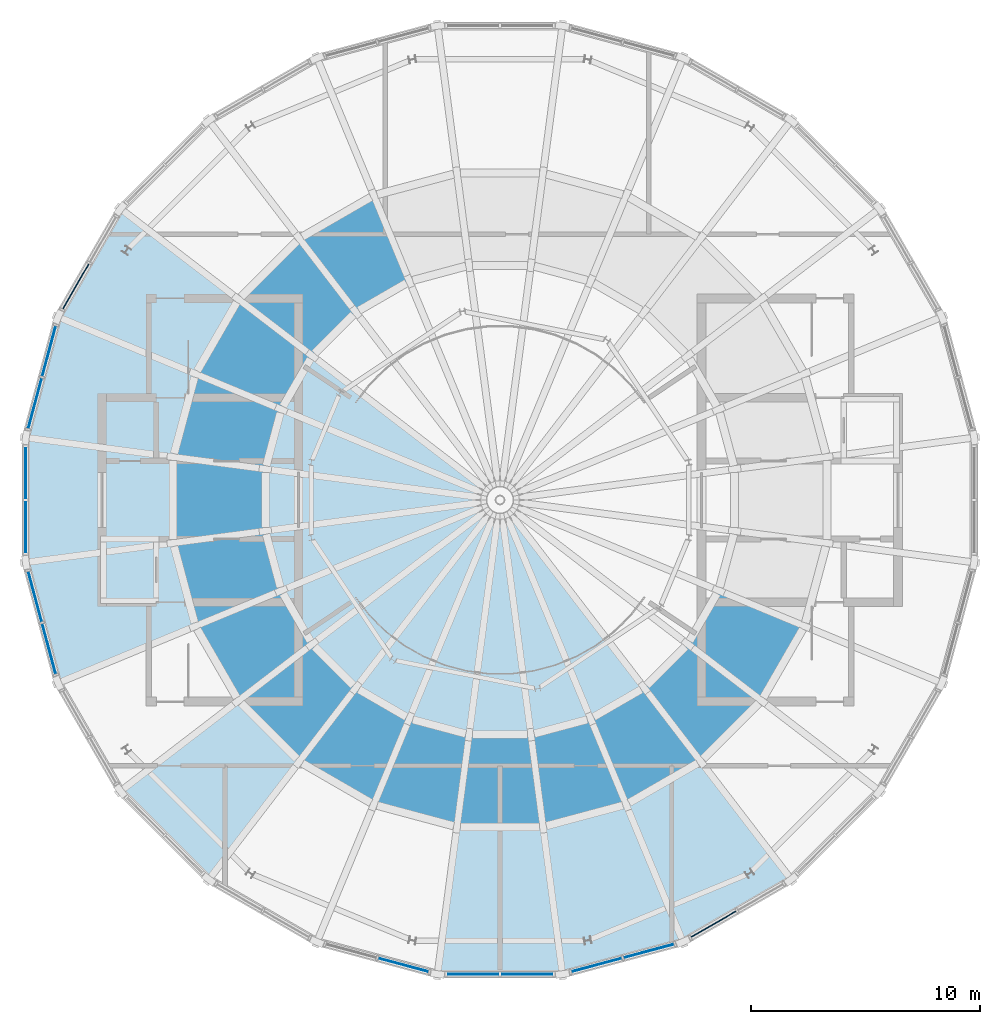
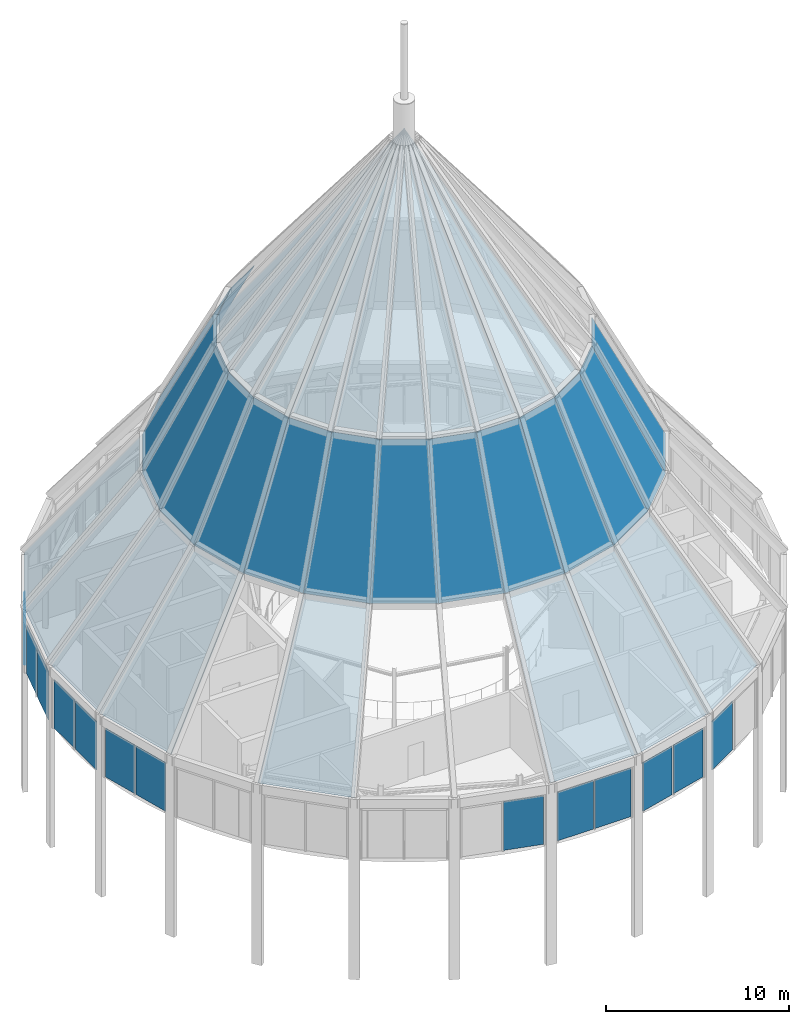
# One storey, part 11 of 16: 47 plates, 8 elements without a shape of their own.
"""IFC4 building model written with IfcOpenShell, lengths in metres."""

from ifc_helpers import new_model, si_unit, direction, frame, origin, origin_2d, place, context, subcontext, project, spatial, polyline, rectangle, outline, extrude, material, layer, layer_set, type_object, element, aggregate, save


model = new_model("IFC4")

# Units and contexts
model_context = context("Model", 3, precision=1e-05, world=origin(), true_north=direction((0.0, 1.0)))
body_context = subcontext(model_context, "Body", "Model", "MODEL_VIEW")
ifc_project = project(units=[si_unit("LENGTHUNIT", "METRE"), si_unit("AREAUNIT", "SQUARE_METRE"), si_unit("VOLUMEUNIT", "CUBIC_METRE"), si_unit("PLANEANGLEUNIT", "RADIAN"), si_unit("MASSUNIT", "GRAM", prefix="KILO")], contexts=[model_context])

# Site, building, storey
site_placement = place(None, origin())
site = spatial("IfcSite", under=ifc_project, at=site_placement, CompositionType="ELEMENT")
building_placement = place(site_placement, origin())
building = spatial("IfcBuilding", under=site, at=building_placement, Name="Maasbend Ring Residences", CompositionType="ELEMENT")
storey_placement = place(building_placement, frame((0.0, 0.0, 269.5)))
storey = spatial("IfcBuildingStorey", under=building, at=storey_placement, Name="L77", CompositionType="ELEMENT", Elevation=269.5)

# Plates
ifc_material_1 = material(Name="Glass clear laminated", Category="glass")
ifc_layer_1 = layer(ifc_material_1, 0.044921875)
ifc_layer_set_1 = layer_set([ifc_layer_1], Name="CROWN-GLASS")
plate_type_1 = type_object("IfcPlateType", Name="CROWN-GLASS", PredefinedType="SHEET", material=ifc_layer_set_1)
plate_1_placement = place(storey_placement, frame((-5.50439453125, 13.288818359375, 12.427978515625), z_axis=(-0.448164423316, 0.776282381742, 0.443321907276), x_axis=(-0.866032601343, -0.49998753304, 1.468828e-05)))
element("IfcPlate", 1, at=plate_1_placement, inside=storey, type_object=plate_type_1, Name="Crown glazing sheet", PredefinedType="SHEET", context=body_context, shape_type="SweptSolid", body=[
    extrude(outline(polyline([(0.0, 0.0), (3.7547832876865948, 0.0), (3.22584460832971, 9.066539453562845), (0.5292139877502429, 9.066645169917328), (0.0, 0.0)])), origin(), (0.0, 0.0, -1.0), 0.044921875),
])
plate_2_placement = place(storey_placement, frame((-8.756103515625, 11.411376953125, 12.427978515625), z_axis=(-0.633829130481, 0.633829130481, 0.443307192257), x_axis=(-0.707106781187, -0.707106781187, 0.0)))
element("IfcPlate", 2, at=plate_2_placement, inside=storey, type_object=plate_type_1, Name="Crown glazing sheet", PredefinedType="SHEET", context=body_context, shape_type="SweptSolid", body=[
    extrude(outline(polyline([(0.0, 0.0), (3.755123707121529, 0.0), (3.225829422180622, 9.06651870151586), (0.529294284940907, 9.06651870151586), (0.0, 0.0)])), origin(), (0.0, 0.0, -1.0), 0.044921875),
])
plate_3_placement = place(storey_placement, frame((-16.557373046875, 12.704833984375, 4.0), z_axis=(-0.688495625981, 0.397490490515, 0.606609497911), x_axis=(-0.499981684888, -0.866035977707, 9.664316e-06)))
element("IfcPlate", 3, at=plate_3_placement, inside=storey, type_object=plate_type_1, Name="Crown glazing sheet", PredefinedType="SHEET", context=body_context, shape_type="SweptSolid", body=[
    extrude(outline(polyline([(0.0, 0.0), (5.448072989126844, 0.0), (4.601703592551343, 10.601175593745907), (0.8469203054736861, 10.601287467105307), (0.0, 0.0)])), origin(), (0.0, 0.0, -1.0), 0.044921875),
])
plate_4_placement = place(storey_placement, frame((-11.411376953125, 8.756103515625, 12.427978515625), z_axis=(-0.776282381742, 0.448164423316, 0.443321907276), x_axis=(-0.49998753304, -0.866032601343, -1.468828e-05)))
element("IfcPlate", 4, at=plate_4_placement, inside=storey, type_object=plate_type_1, Name="Crown glazing sheet", PredefinedType="SHEET", context=body_context, shape_type="SweptSolid", body=[
    extrude(outline(polyline([(0.0, 0.0), (3.7547832876865948, 0.0), (3.2255692999363523, 9.066645169917328), (0.5289386793568851, 9.066539453562845), (0.0, 0.0)])), origin(), (0.0, 0.0, -1.0), 0.044921875),
])
plate_5_placement = place(storey_placement, frame((-8.195068359375, 6.288330078125, 20.554931640625), z_axis=(-0.690828865447, 0.398782876333, 0.60309841337), x_axis=(-0.499936668556, -0.866061965123, 0.0)))
element("IfcPlate", 5, at=plate_5_placement, inside=storey, type_object=plate_type_1, Name="Crown glazing sheet", PredefinedType="SHEET", context=body_context, shape_type="SweptSolid", body=[
    extrude(outline(polyline([(0.0, 0.0), (2.696630625521276, 0.0), (1.3490683306263374, 16.980982822452425), (0.0, 0.0)])), origin(), (0.0, 0.0, -1.0), 0.044921875),
])
plate_6_placement = place(storey_placement, frame((-19.28125, 7.986572265625, 4.0), z_axis=(-0.767912969767, 0.205755374284, 0.606608932359), x_axis=(-0.258819846719, -0.965925611432, -1.10968e-05)))
element("IfcPlate", 6, at=plate_6_placement, inside=storey, type_object=plate_type_1, Name="Crown glazing sheet", PredefinedType="SHEET", context=body_context, shape_type="SweptSolid", body=[
    extrude(outline(polyline([(0.0, 0.0), (5.448112790301781, 1.1102230246251565e-16), (4.601402186144563, 10.601290007020706), (0.84654528346327, 10.60116154982748), (0.0, 0.0)])), origin(), (0.0, 0.0, -1.0), 0.044921875),
])
plate_7_placement = place(storey_placement, frame((-13.288818359375, 5.50439453125, 12.427978515625), z_axis=(-0.865821604581, 0.231991613921, 0.443320245547), x_axis=(-0.25880742201, -0.965928940506, 1.4338257e-05)))
element("IfcPlate", 7, at=plate_7_placement, inside=storey, type_object=plate_type_1, Name="Crown glazing sheet", PredefinedType="SHEET", context=body_context, shape_type="SweptSolid", body=[
    extrude(outline(polyline([(0.0, 0.0), (3.7548569042373616, 0.0), (3.2257794426731663, 9.066532401320881), (0.5293779883655266, 9.066635595863435), (0.0, 0.0)])), origin(), (0.0, 0.0, -1.0), 0.044921875),
])
plate_8_placement = place(storey_placement, frame((-9.543212890625, 3.952880859375, 20.554931640625), z_axis=(-0.770478310487, 0.206486453851, 0.603097436112), x_axis=(-0.258862805663, -0.96591409962, 0.0)))
element("IfcPlate", 8, at=plate_8_placement, inside=storey, type_object=plate_type_1, Name="Crown glazing sheet", PredefinedType="SHEET", context=body_context, shape_type="SweptSolid", body=[
    extrude(outline(polyline([(0.0, 0.0), (2.6964014590171566, 5.551115123125783e-17), (1.3477604922809001, 16.980967092910035), (0.0, 0.0)])), origin(), (0.0, 0.0, -1.0), 0.044921875),
])
plate_9_placement = place(storey_placement, frame((-20.69140625, 2.72412109375, 4.0), z_axis=(-0.794995377605, 0.0, 0.606615487428), x_axis=(0.0, -1.0, 0.0)))
element("IfcPlate", 9, at=plate_9_placement, inside=storey, type_object=plate_type_1, Name="Crown glazing sheet", PredefinedType="SHEET", context=body_context, shape_type="SweptSolid", body=[
    extrude(outline(polyline([(0.0, 0.0), (5.4482421875, 0.0), (4.6015625, 10.601292476715138), (0.8466796875, 10.601292476715138), (0.0, 0.0)])), origin(), (0.0, 0.0, -1.0), 0.044921875),
])
plate_10_placement = place(storey_placement, frame((-14.260498046875, 1.87744140625, 12.427978515625), z_axis=(-0.896368255376, 0.0, 0.443310219546), x_axis=(0.0, -1.0, 0.0)))
element("IfcPlate", 10, at=plate_10_placement, inside=storey, type_object=plate_type_1, Name="Crown glazing sheet", PredefinedType="SHEET", context=body_context, shape_type="SweptSolid", body=[
    extrude(outline(polyline([(0.0, 0.0), (3.7548828125, 0.0), (3.225830078125, 9.066533845055414), (0.529052734375, 9.066533845055414), (0.0, 0.0)])), origin(), (0.0, 0.0, -1.0), 0.044921875),
])
plate_11_placement = place(storey_placement, frame((-10.2412109375, 1.348388671875, 20.554931640625), z_axis=(-0.797666585173, 0.0, 0.603098680897), x_axis=(0.0, -1.0, 0.0)))
element("IfcPlate", 11, at=plate_11_placement, inside=storey, type_object=plate_type_1, Name="Crown glazing sheet", PredefinedType="SHEET", context=body_context, shape_type="SweptSolid", body=[
    extrude(outline(polyline([(0.0, 0.0), (2.69677734375, 0.0), (1.348388671875, 16.980987128468474), (0.0, 0.0)])), origin(), (0.0, 0.0, -1.0), 0.044921875),
])
plate_12_placement = place(storey_placement, frame((-20.69140625, -2.72412109375, 4.0), z_axis=(-0.767912969767, -0.205755374284, 0.606608932359), x_axis=(0.258819846719, -0.965925611432, 1.10968e-05)))
element("IfcPlate", 12, at=plate_12_placement, inside=storey, type_object=plate_type_1, Name="Crown glazing sheet", PredefinedType="SHEET", context=body_context, shape_type="SweptSolid", body=[
    extrude(outline(polyline([(0.0, 0.0), (5.448112790301781, -1.1102230246251565e-16), (4.601567506838512, 10.60116154982748), (0.8467106041572189, 10.601290007020706), (0.0, 0.0)])), origin(), (0.0, 0.0, -1.0), 0.044921875),
])
plate_13_placement = place(storey_placement, frame((-14.260498046875, -1.87744140625, 12.427978515625), z_axis=(-0.865821604581, -0.231991613921, 0.443320245547), x_axis=(0.25880742201, -0.965928940506, -1.4338257e-05)))
element("IfcPlate", 13, at=plate_13_placement, inside=storey, type_object=plate_type_1, Name="Crown glazing sheet", PredefinedType="SHEET", context=body_context, shape_type="SweptSolid", body=[
    extrude(outline(polyline([(0.0, 0.0), (3.7548569042373616, 0.0), (3.2254789158718347, 9.066635595863435), (0.5290774615641951, 9.066532401320881), (0.0, 0.0)])), origin(), (0.0, 0.0, -1.0), 0.044921875),
])
plate_14_placement = place(storey_placement, frame((-10.2412109375, -1.348388671875, 20.554931640625), z_axis=(-0.770478310487, -0.206486453851, 0.603097436112), x_axis=(0.258862805663, -0.96591409962, 0.0)))
element("IfcPlate", 14, at=plate_14_placement, inside=storey, type_object=plate_type_1, Name="Crown glazing sheet", PredefinedType="SHEET", context=body_context, shape_type="SweptSolid", body=[
    extrude(outline(polyline([(0.0, 0.0), (2.6964014590171566, -5.551115123125783e-17), (1.348640966736256, 16.980967092910035), (0.0, 0.0)])), origin(), (0.0, 0.0, -1.0), 0.044921875),
])
plate_15_placement = place(storey_placement, frame((-13.288818359375, -5.50439453125, 12.427978515625), z_axis=(-0.776282381742, -0.448164423316, 0.443321907276), x_axis=(0.49998753304, -0.866032601343, 1.468828e-05)))
element("IfcPlate", 15, at=plate_15_placement, inside=storey, type_object=plate_type_1, Name="Crown glazing sheet", PredefinedType="SHEET", context=body_context, shape_type="SweptSolid", body=[
    extrude(outline(polyline([(0.0, 0.0), (3.7547832876865948, 0.0), (3.22584460832971, 9.066539453562845), (0.5292139877502429, 9.066645169917328), (0.0, 0.0)])), origin(), (0.0, 0.0, -1.0), 0.044921875),
])
plate_16_placement = place(storey_placement, frame((-9.543212890625, -3.952880859375, 20.554931640625), z_axis=(-0.690828865447, -0.398782876333, 0.60309841337), x_axis=(0.499936668556, -0.866061965123, 0.0)))
element("IfcPlate", 16, at=plate_16_placement, inside=storey, type_object=plate_type_1, Name="Crown glazing sheet", PredefinedType="SHEET", context=body_context, shape_type="SweptSolid", body=[
    extrude(outline(polyline([(0.0, 0.0), (2.696630625521276, 0.0), (1.347562294894939, 16.980982822452425), (0.0, 0.0)])), origin(), (0.0, 0.0, -1.0), 0.044921875),
])
plate_17_placement = place(storey_placement, frame((-16.557373046875, -12.704833984375, 4.0), z_axis=(-0.562145508839, -0.562145508839, 0.606617551498), x_axis=(0.707106781187, -0.707106781187, 0.0)))
element("IfcPlate", 17, at=plate_17_placement, inside=storey, type_object=plate_type_1, Name="Crown glazing sheet", PredefinedType="SHEET", context=body_context, shape_type="SweptSolid", body=[
    extrude(outline(polyline([(0.0, 0.0), (5.44831299175963, 0.0), (4.60171834944058, 10.601313479147674), (0.84659464231905, 10.601313479147672), (0.0, 0.0)])), origin(), (0.0, 0.0, -1.0), 0.044921875),
])
plate_18_placement = place(storey_placement, frame((-11.411376953125, -8.756103515625, 12.427978515625), z_axis=(-0.633829130481, -0.633829130481, 0.443307192257), x_axis=(0.707106781187, -0.707106781187, 0.0)))
element("IfcPlate", 18, at=plate_18_placement, inside=storey, type_object=plate_type_1, Name="Crown glazing sheet", PredefinedType="SHEET", context=body_context, shape_type="SweptSolid", body=[
    extrude(outline(polyline([(0.0, 0.0), (3.755123707121529, 0.0), (3.225829422180622, 9.06651870151586), (0.529294284940907, 9.06651870151586), (0.0, 0.0)])), origin(), (0.0, 0.0, -1.0), 0.044921875),
])
plate_19_placement = place(storey_placement, frame((-8.195068359375, -6.288330078125, 20.554931640625), z_axis=(-0.564033482076, -0.564033482076, 0.603102364606), x_axis=(0.707106781187, -0.707106781187, 0.0)))
element("IfcPlate", 19, at=plate_19_placement, inside=storey, type_object=plate_type_1, Name="Crown glazing sheet", PredefinedType="SHEET", context=body_context, shape_type="SweptSolid", body=[
    extrude(outline(polyline([(0.0, 0.0), (2.696535137239715, 0.0), (1.3482675686198569, 16.981046420657684), (0.0, 0.0)])), origin(), (0.0, 0.0, -1.0), 0.044921875),
])
plate_20_placement = place(storey_placement, frame((-8.756103515625, -11.411376953125, 12.427978515625), z_axis=(-0.448164423316, -0.776282381742, 0.443321907276), x_axis=(0.866032601343, -0.49998753304, -1.468828e-05)))
element("IfcPlate", 20, at=plate_20_placement, inside=storey, type_object=plate_type_1, Name="Crown glazing sheet", PredefinedType="SHEET", context=body_context, shape_type="SweptSolid", body=[
    extrude(outline(polyline([(0.0, 0.0), (3.7547832876865948, 0.0), (3.2255692999363523, 9.066645169917328), (0.5289386793568851, 9.066539453562845), (0.0, 0.0)])), origin(), (0.0, 0.0, -1.0), 0.044921875),
])
plate_21_placement = place(storey_placement, frame((-6.288330078125, -8.195068359375, 20.554931640625), z_axis=(-0.398782876333, -0.690828865447, 0.60309841337), x_axis=(0.866061965123, -0.499936668556, 0.0)))
element("IfcPlate", 21, at=plate_21_placement, inside=storey, type_object=plate_type_1, Name="Crown glazing sheet", PredefinedType="SHEET", context=body_context, shape_type="SweptSolid", body=[
    extrude(outline(polyline([(0.0, 0.0), (2.696630625521276, 0.0), (1.3490683306263374, 16.980982822452425), (0.0, 0.0)])), origin(), (0.0, 0.0, -1.0), 0.044921875),
])
plate_22_placement = place(storey_placement, frame((-5.50439453125, -13.288818359375, 12.427978515625), z_axis=(-0.231991613921, -0.865821604581, 0.443320245547), x_axis=(0.965928940506, -0.25880742201, 1.4338257e-05)))
element("IfcPlate", 22, at=plate_22_placement, inside=storey, type_object=plate_type_1, Name="Crown glazing sheet", PredefinedType="SHEET", context=body_context, shape_type="SweptSolid", body=[
    extrude(outline(polyline([(0.0, 0.0), (3.7548569042373616, 0.0), (3.2257794426731663, 9.066532401320881), (0.5293779883655266, 9.066635595863435), (0.0, 0.0)])), origin(), (0.0, 0.0, -1.0), 0.044921875),
])
plate_23_placement = place(storey_placement, frame((-3.952880859375, -9.543212890625, 20.554931640625), z_axis=(-0.206486453851, -0.770478310487, 0.603097436112), x_axis=(0.96591409962, -0.258862805663, 0.0)))
element("IfcPlate", 23, at=plate_23_placement, inside=storey, type_object=plate_type_1, Name="Crown glazing sheet", PredefinedType="SHEET", context=body_context, shape_type="SweptSolid", body=[
    extrude(outline(polyline([(0.0, 0.0), (2.6964014590171566, 5.551115123125783e-17), (1.3477604922809001, 16.980967092910035), (0.0, 0.0)])), origin(), (0.0, 0.0, -1.0), 0.044921875),
])
plate_24_placement = place(storey_placement, frame((-2.72412109375, -20.69140625, 4.0), z_axis=(0.0, -0.794995377605, 0.606615487428), x_axis=(1.0, 0.0, 0.0)))
element("IfcPlate", 24, at=plate_24_placement, inside=storey, type_object=plate_type_1, Name="Crown glazing sheet", PredefinedType="SHEET", context=body_context, shape_type="SweptSolid", body=[
    extrude(outline(polyline([(0.0, 0.0), (5.4482421875, 0.0), (4.6015625, 10.601292476715138), (0.8466796875, 10.601292476715138), (0.0, 0.0)])), origin(), (0.0, 0.0, -1.0), 0.044921875),
])
plate_25_placement = place(storey_placement, frame((-1.87744140625, -14.260498046875, 12.427978515625), z_axis=(0.0, -0.896368255376, 0.443310219546), x_axis=(1.0, 0.0, 0.0)))
element("IfcPlate", 25, at=plate_25_placement, inside=storey, type_object=plate_type_1, Name="Crown glazing sheet", PredefinedType="SHEET", context=body_context, shape_type="SweptSolid", body=[
    extrude(outline(polyline([(0.0, 0.0), (3.7548828125, 0.0), (3.225830078125, 9.066533845055414), (0.529052734375, 9.066533845055414), (0.0, 0.0)])), origin(), (0.0, 0.0, -1.0), 0.044921875),
])
plate_26_placement = place(storey_placement, frame((-1.348388671875, -10.2412109375, 20.554931640625), z_axis=(0.0, -0.797666585173, 0.603098680897), x_axis=(1.0, 0.0, 0.0)))
element("IfcPlate", 26, at=plate_26_placement, inside=storey, type_object=plate_type_1, Name="Crown glazing sheet", PredefinedType="SHEET", context=body_context, shape_type="SweptSolid", body=[
    extrude(outline(polyline([(0.0, 0.0), (2.69677734375, 0.0), (1.348388671875, 16.980987128468474), (0.0, 0.0)])), origin(), (0.0, 0.0, -1.0), 0.044921875),
])
plate_27_placement = place(storey_placement, frame((2.72412109375, -20.69140625, 4.0), z_axis=(0.205755374284, -0.767912969767, 0.606608932359), x_axis=(0.965925611432, 0.258819846719, 1.10968e-05)))
element("IfcPlate", 27, at=plate_27_placement, inside=storey, type_object=plate_type_1, Name="Crown glazing sheet", PredefinedType="SHEET", context=body_context, shape_type="SweptSolid", body=[
    extrude(outline(polyline([(0.0, 0.0), (5.448112790301781, -1.1102230246251565e-16), (4.601567506838512, 10.60116154982748), (0.8467106041572189, 10.601290007020706), (0.0, 0.0)])), origin(), (0.0, 0.0, -1.0), 0.044921875),
])
plate_28_placement = place(storey_placement, frame((1.87744140625, -14.260498046875, 12.427978515625), z_axis=(0.231991613921, -0.865821604581, 0.443320245547), x_axis=(0.965928940506, 0.25880742201, -1.4338257e-05)))
element("IfcPlate", 28, at=plate_28_placement, inside=storey, type_object=plate_type_1, Name="Crown glazing sheet", PredefinedType="SHEET", context=body_context, shape_type="SweptSolid", body=[
    extrude(outline(polyline([(0.0, 0.0), (3.7548569042373616, 0.0), (3.2254789158718347, 9.066635595863435), (0.5290774615641951, 9.066532401320881), (0.0, 0.0)])), origin(), (0.0, 0.0, -1.0), 0.044921875),
])
plate_29_placement = place(storey_placement, frame((1.348388671875, -10.2412109375, 20.554931640625), z_axis=(0.206486453851, -0.770478310487, 0.603097436112), x_axis=(0.96591409962, 0.258862805663, 0.0)))
element("IfcPlate", 29, at=plate_29_placement, inside=storey, type_object=plate_type_1, Name="Crown glazing sheet", PredefinedType="SHEET", context=body_context, shape_type="SweptSolid", body=[
    extrude(outline(polyline([(0.0, 0.0), (2.6964014590171566, -5.551115123125783e-17), (1.348640966736256, 16.980967092910035), (0.0, 0.0)])), origin(), (0.0, 0.0, -1.0), 0.044921875),
])
plate_30_placement = place(storey_placement, frame((7.986572265625, -19.28125, 4.0), z_axis=(0.397490490515, -0.688495625981, 0.606609497911), x_axis=(0.866035977707, 0.499981684888, -9.664316e-06)))
element("IfcPlate", 30, at=plate_30_placement, inside=storey, type_object=plate_type_1, Name="Crown glazing sheet", PredefinedType="SHEET", context=body_context, shape_type="SweptSolid", body=[
    extrude(outline(polyline([(0.0, 0.0), (5.448072989126844, 0.0), (4.60115268365316, 10.601287467105307), (0.8463693965755011, 10.601175593745907), (0.0, 0.0)])), origin(), (0.0, 0.0, -1.0), 0.044921875),
])
plate_31_placement = place(storey_placement, frame((5.50439453125, -13.288818359375, 12.427978515625), z_axis=(0.448164423316, -0.776282381742, 0.443321907276), x_axis=(0.866032601343, 0.49998753304, 1.468828e-05)))
element("IfcPlate", 31, at=plate_31_placement, inside=storey, type_object=plate_type_1, Name="Crown glazing sheet", PredefinedType="SHEET", context=body_context, shape_type="SweptSolid", body=[
    extrude(outline(polyline([(0.0, 0.0), (3.7547832876865948, 0.0), (3.22584460832971, 9.066539453562845), (0.5292139877502429, 9.066645169917328), (0.0, 0.0)])), origin(), (0.0, 0.0, -1.0), 0.044921875),
])
plate_32_placement = place(storey_placement, frame((3.952880859375, -9.543212890625, 20.554931640625), z_axis=(0.398782876333, -0.690828865447, 0.60309841337), x_axis=(0.866061965123, 0.499936668556, 0.0)))
element("IfcPlate", 32, at=plate_32_placement, inside=storey, type_object=plate_type_1, Name="Crown glazing sheet", PredefinedType="SHEET", context=body_context, shape_type="SweptSolid", body=[
    extrude(outline(polyline([(0.0, 0.0), (2.696630625521276, 0.0), (1.347562294894939, 16.980982822452425), (0.0, 0.0)])), origin(), (0.0, 0.0, -1.0), 0.044921875),
])
plate_33_placement = place(storey_placement, frame((8.756103515625, -11.411376953125, 12.427978515625), z_axis=(0.633829130481, -0.633829130481, 0.443307192257), x_axis=(0.707106781187, 0.707106781187, 0.0)))
element("IfcPlate", 33, at=plate_33_placement, inside=storey, type_object=plate_type_1, Name="Crown glazing sheet", PredefinedType="SHEET", context=body_context, shape_type="SweptSolid", body=[
    extrude(outline(polyline([(0.0, 0.0), (3.755123707121529, 0.0), (3.225829422180622, 9.06651870151586), (0.529294284940907, 9.06651870151586), (0.0, 0.0)])), origin(), (0.0, 0.0, -1.0), 0.044921875),
])
plate_34_placement = place(storey_placement, frame((11.411376953125, -8.756103515625, 12.427978515625), z_axis=(0.776282381742, -0.448164423316, 0.443321907276), x_axis=(0.49998753304, 0.866032601343, -1.468828e-05)))
element("IfcPlate", 34, at=plate_34_placement, inside=storey, type_object=plate_type_1, Name="Crown glazing sheet", PredefinedType="SHEET", context=body_context, shape_type="SweptSolid", body=[
    extrude(outline(polyline([(0.0, 0.0), (3.7547832876865948, 0.0), (3.2255692999363523, 9.066645169917328), (0.5289386793568851, 9.066539453562845), (0.0, 0.0)])), origin(), (0.0, 0.0, -1.0), 0.044921875),
])

# Curtain wall, plate
ifc_material_2 = material(Name="Aluminium and clear glass", Category="aluminium")
ifc_layer_2 = layer(ifc_material_2, 0.239990234375)
ifc_layer_set_2 = layer_set([ifc_layer_2], Name="CW-CN")
curtain_wall_type = type_object("IfcCurtainWallType", Name="CW-CN", PredefinedType="NOTDEFINED", material=ifc_layer_set_2)
curtain_wall_1_placement = place(storey_placement, origin())
curtain_wall_1 = element("IfcCurtainWall", 35, at=curtain_wall_1_placement, inside=storey, type_object=curtain_wall_type, Name="Crown drum glazing 10 L77", PredefinedType="NOTDEFINED")
ifc_material_3 = material(Name="Glass clear laminated", Category="glass")
ifc_layer_3 = layer(ifc_material_3, 0.0400390625)
ifc_layer_set_3 = layer_set([ifc_layer_3], Name="CWP-CN")
plate_type_2 = type_object("IfcPlateType", Name="CWP-CN", PredefinedType="CURTAIN_PANEL", material=ifc_layer_set_3)
plate_35_placement = place(storey_placement, frame((-18.509033203125, 9.32421875, 0.0), z_axis=(0.0, 0.0, 1.0), x_axis=(-0.5, -0.866025403784, 0.0)))
plate_35 = element("IfcPlate", 36, at=plate_35_placement, type_object=plate_type_2, Name="Glass panel crown cone", PredefinedType="CURTAIN_PANEL", context=body_context, shape_type="SweptSolid", body=[
    extrude(rectangle(XDim=2.26904296875, YDim=0.0400390625, at=origin_2d()), origin(), (0.0, 0.0, 1.0), 3.239990234375),
])
aggregate(curtain_wall_1, [plate_35])

# Curtain wall, plates
curtain_wall_2_placement = place(storey_placement, origin())
curtain_wall_2 = element("IfcCurtainWall", 37, at=curtain_wall_2_placement, inside=storey, type_object=curtain_wall_type, Name="Crown drum glazing 11 L77", PredefinedType="NOTDEFINED")
plate_36_placement = place(storey_placement, frame((-19.68115234375, 6.49462890625, 0.0), z_axis=(0.0, 0.0, 1.0), x_axis=(-0.258819045103, -0.965925826289, 0.0)))
plate_36 = element("IfcPlate", 38, at=plate_36_placement, type_object=plate_type_2, Name="Glass panel crown cone", PredefinedType="CURTAIN_PANEL", context=body_context, shape_type="SweptSolid", body=[
    extrude(rectangle(XDim=2.26904296875, YDim=0.0400390625, at=origin_2d()), origin(), (0.0, 0.0, 1.0), 3.239990234375),
])
plate_37_placement = place(storey_placement, frame((-20.291748046875, 4.216064453125, 0.0), z_axis=(0.0, 0.0, 1.0), x_axis=(-0.258819045103, -0.965925826289, 0.0)))
plate_37 = element("IfcPlate", 39, at=plate_37_placement, type_object=plate_type_2, Name="Glass panel crown cone", PredefinedType="CURTAIN_PANEL", context=body_context, shape_type="SweptSolid", body=[
    extrude(rectangle(XDim=2.26904296875, YDim=0.0400390625, at=origin_2d()), origin(), (0.0, 0.0, 1.0), 3.239990234375),
])
aggregate(curtain_wall_2, [plate_36, plate_37])

curtain_wall_3_placement = place(storey_placement, origin())
curtain_wall_3 = element("IfcCurtainWall", 40, at=curtain_wall_3_placement, inside=storey, type_object=curtain_wall_type, Name="Crown drum glazing 12 L77", PredefinedType="NOTDEFINED")
plate_38_placement = place(storey_placement, frame((-20.69140625, 1.179443359375, 0.0), z_axis=(0.0, 0.0, 1.0), x_axis=(0.0, -1.0, 0.0)))
plate_38 = element("IfcPlate", 41, at=plate_38_placement, type_object=plate_type_2, Name="Glass panel crown cone", PredefinedType="CURTAIN_PANEL", context=body_context, shape_type="SweptSolid", body=[
    extrude(rectangle(XDim=2.26904296875, YDim=0.0400390625, at=origin_2d()), origin(), (0.0, 0.0, 1.0), 3.239990234375),
])
plate_39_placement = place(storey_placement, frame((-20.69140625, -1.179443359375, 0.0), z_axis=(0.0, 0.0, 1.0), x_axis=(0.0, -1.0, 0.0)))
plate_39 = element("IfcPlate", 42, at=plate_39_placement, type_object=plate_type_2, Name="Glass panel crown cone", PredefinedType="CURTAIN_PANEL", context=body_context, shape_type="SweptSolid", body=[
    extrude(rectangle(XDim=2.26904296875, YDim=0.0400390625, at=origin_2d()), origin(), (0.0, 0.0, 1.0), 3.239990234375),
])
aggregate(curtain_wall_3, [plate_38, plate_39])

curtain_wall_4_placement = place(storey_placement, origin())
curtain_wall_4 = element("IfcCurtainWall", 43, at=curtain_wall_4_placement, inside=storey, type_object=curtain_wall_type, Name="Crown drum glazing 13 L77", PredefinedType="NOTDEFINED")
plate_40_placement = place(storey_placement, frame((-20.291748046875, -4.216064453125, 0.0), z_axis=(0.0, 0.0, 1.0), x_axis=(0.258819045103, -0.965925826289, 0.0)))
plate_40 = element("IfcPlate", 44, at=plate_40_placement, type_object=plate_type_2, Name="Glass panel crown cone", PredefinedType="CURTAIN_PANEL", context=body_context, shape_type="SweptSolid", body=[
    extrude(rectangle(XDim=2.26904296875, YDim=0.0400390625, at=origin_2d()), origin(), (0.0, 0.0, 1.0), 3.239990234375),
])
plate_41_placement = place(storey_placement, frame((-19.68115234375, -6.49462890625, 0.0), z_axis=(0.0, 0.0, 1.0), x_axis=(0.258819045103, -0.965925826289, 0.0)))
plate_41 = element("IfcPlate", 45, at=plate_41_placement, type_object=plate_type_2, Name="Glass panel crown cone", PredefinedType="CURTAIN_PANEL", context=body_context, shape_type="SweptSolid", body=[
    extrude(rectangle(XDim=2.26904296875, YDim=0.0400390625, at=origin_2d()), origin(), (0.0, 0.0, 1.0), 3.239990234375),
])
aggregate(curtain_wall_4, [plate_40, plate_41])

# Curtain wall, plate
curtain_wall_5_placement = place(storey_placement, origin())
curtain_wall_5 = element("IfcCurtainWall", 46, at=curtain_wall_5_placement, inside=storey, type_object=curtain_wall_type, Name="Crown drum glazing 17 L77", PredefinedType="NOTDEFINED")
plate_42_placement = place(storey_placement, frame((-4.216064453125, -20.291748046875, 0.0), z_axis=(0.0, 0.0, 1.0), x_axis=(0.965925826289, -0.258819045103, 0.0)))
plate_42 = element("IfcPlate", 47, at=plate_42_placement, type_object=plate_type_2, Name="Glass panel crown cone", PredefinedType="CURTAIN_PANEL", context=body_context, shape_type="SweptSolid", body=[
    extrude(rectangle(XDim=2.26904296875, YDim=0.0400390625, at=origin_2d()), origin(), (0.0, 0.0, 1.0), 3.239990234375),
])
aggregate(curtain_wall_5, [plate_42])

# Curtain wall, plates
curtain_wall_6_placement = place(storey_placement, origin())
curtain_wall_6 = element("IfcCurtainWall", 48, at=curtain_wall_6_placement, inside=storey, type_object=curtain_wall_type, Name="Crown drum glazing 18 L77", PredefinedType="NOTDEFINED")
plate_43_placement = place(storey_placement, frame((-1.179443359375, -20.69140625, 0.0), z_axis=(0.0, 0.0, 1.0), x_axis=(1.0, 0.0, 0.0)))
plate_43 = element("IfcPlate", 49, at=plate_43_placement, type_object=plate_type_2, Name="Glass panel crown cone", PredefinedType="CURTAIN_PANEL", context=body_context, shape_type="SweptSolid", body=[
    extrude(rectangle(XDim=2.26904296875, YDim=0.0400390625, at=origin_2d()), origin(), (0.0, 0.0, 1.0), 3.239990234375),
])
plate_44_placement = place(storey_placement, frame((1.179443359375, -20.69140625, 0.0), z_axis=(0.0, 0.0, 1.0), x_axis=(1.0, 0.0, 0.0)))
plate_44 = element("IfcPlate", 50, at=plate_44_placement, type_object=plate_type_2, Name="Glass panel crown cone", PredefinedType="CURTAIN_PANEL", context=body_context, shape_type="SweptSolid", body=[
    extrude(rectangle(XDim=2.26904296875, YDim=0.0400390625, at=origin_2d()), origin(), (0.0, 0.0, 1.0), 3.239990234375),
])
aggregate(curtain_wall_6, [plate_43, plate_44])

curtain_wall_7_placement = place(storey_placement, origin())
curtain_wall_7 = element("IfcCurtainWall", 51, at=curtain_wall_7_placement, inside=storey, type_object=curtain_wall_type, Name="Crown drum glazing 19 L77", PredefinedType="NOTDEFINED")
plate_45_placement = place(storey_placement, frame((4.216064453125, -20.291748046875, 0.0), z_axis=(0.0, 0.0, 1.0), x_axis=(0.965925826289, 0.258819045103, 0.0)))
plate_45 = element("IfcPlate", 52, at=plate_45_placement, type_object=plate_type_2, Name="Glass panel crown cone", PredefinedType="CURTAIN_PANEL", context=body_context, shape_type="SweptSolid", body=[
    extrude(rectangle(XDim=2.26904296875, YDim=0.0400390625, at=origin_2d()), origin(), (0.0, 0.0, 1.0), 3.239990234375),
])
plate_46_placement = place(storey_placement, frame((6.49462890625, -19.68115234375, 0.0), z_axis=(0.0, 0.0, 1.0), x_axis=(0.965925826289, 0.258819045103, 0.0)))
plate_46 = element("IfcPlate", 53, at=plate_46_placement, type_object=plate_type_2, Name="Glass panel crown cone", PredefinedType="CURTAIN_PANEL", context=body_context, shape_type="SweptSolid", body=[
    extrude(rectangle(XDim=2.26904296875, YDim=0.0400390625, at=origin_2d()), origin(), (0.0, 0.0, 1.0), 3.239990234375),
])
aggregate(curtain_wall_7, [plate_45, plate_46])

# Curtain wall, plate
curtain_wall_8_placement = place(storey_placement, origin())
curtain_wall_8 = element("IfcCurtainWall", 54, at=curtain_wall_8_placement, inside=storey, type_object=curtain_wall_type, Name="Crown drum glazing 20 L77", PredefinedType="NOTDEFINED")
plate_47_placement = place(storey_placement, frame((9.32421875, -18.509033203125, 0.0), z_axis=(0.0, 0.0, 1.0), x_axis=(0.866025403784, 0.5, 0.0)))
plate_47 = element("IfcPlate", 55, at=plate_47_placement, type_object=plate_type_2, Name="Glass panel crown cone", PredefinedType="CURTAIN_PANEL", context=body_context, shape_type="SweptSolid", body=[
    extrude(rectangle(XDim=2.26904296875, YDim=0.0400390625, at=origin_2d()), origin(), (0.0, 0.0, 1.0), 3.239990234375),
])
aggregate(curtain_wall_8, [plate_47])

save(model, "model.ifc")
